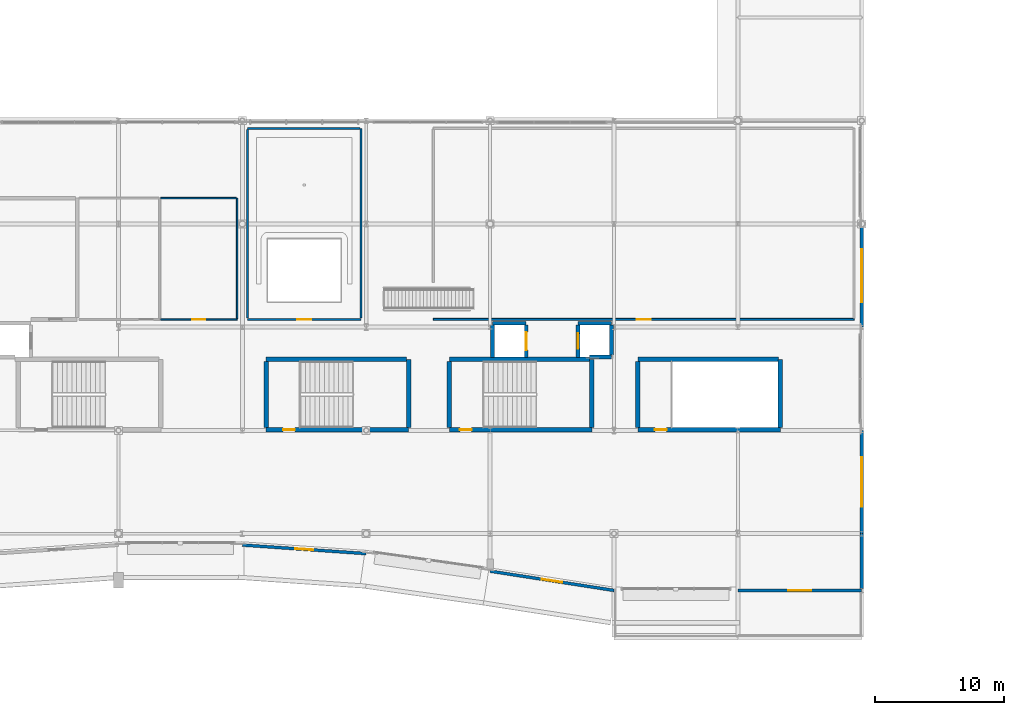
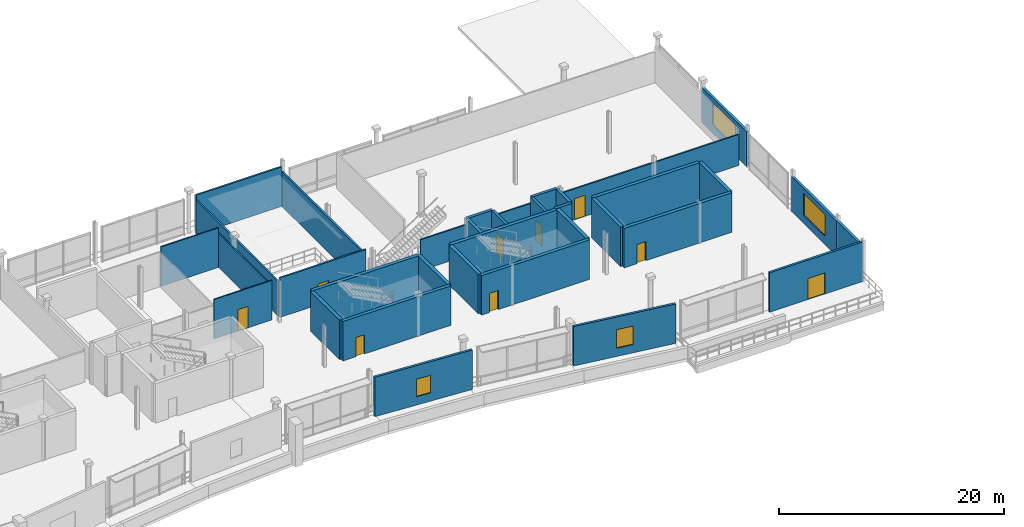
# One storey, part 38 of 59: 33 walls, 9 doors, 4 windows, 13 openings.
"""IFC4 building model written with IfcOpenShell, lengths in metres."""

import ifcopenshell
import ifcopenshell.guid

model = None  # the IFC model being written
_history = None  # IfcOwnerHistory: only IFC2X3 demands one
_inside = {}  # id of a spatial element -> (the spatial element, [elements in it])
_under = {}  # id of a project, library or spatial element -> (it, [spatial elements below it])
_declared = {}  # id of a project -> (the project, [libraries it declares])
_typed = {}  # id of a type object -> (the type object, [elements of that type])
_made_of = {}  # id of a material, layer set ... -> (it, [elements and type objects made of it])


def new_model(schema):
    """Start an empty IFC model of exactly this schema.

    Asked for "IFC4X3", IfcOpenShell would pick the latest addendum, in which some entities
    have other attributes; the version numbers below select the first issue.
    IFC2X3 requires an IfcOwnerHistory on every rooted entity: one is made here for all.
    """
    global model, _history
    if schema == "IFC4X3":
        model = ifcopenshell.file(schema_version=(4, 3, 0, 0))
    else:
        model = ifcopenshell.file(schema=schema)
    _inside.clear()
    _under.clear()
    _declared.clear()
    _typed.clear()
    _made_of.clear()
    _history = None
    if model.schema == "IFC2X3":
        org = make("IfcOrganization", Name="unknown")
        user = make(
            "IfcPersonAndOrganization",
            ThePerson=make("IfcPerson", FamilyName="unknown"),
            TheOrganization=org,
        )
        app = make(
            "IfcApplication",
            ApplicationDeveloper=org,
            Version="unknown",
            ApplicationFullName="unknown",
            ApplicationIdentifier="unknown",
        )
        _history = make(
            "IfcOwnerHistory",
            OwningUser=user,
            OwningApplication=app,
            ChangeAction="ADDED",
            CreationDate=0,
        )
    return model


def make(cls, **values):
    """One entity of the class cls with the attributes given. An attribute that is None is left unset."""
    return model.create_entity(
        cls, **{name: value for name, value in values.items() if value is not None}
    )


def rooted(cls, **values):
    """An entity with a GlobalId (a new one), such as an element, a storey or a relation."""
    return make(cls, GlobalId=ifcopenshell.guid.new(), OwnerHistory=_history, **values)


def si_unit(unit_type, name, prefix=None):
    """IfcSIUnit, for example si_unit("LENGTHUNIT", "METRE", prefix="MILLI")."""
    return make("IfcSIUnit", UnitType=unit_type, Prefix=prefix, Name=name)


def assignment(units):
    """IfcUnitAssignment: the units of a project."""
    return None if units is None else make("IfcUnitAssignment", Units=units)


def point(xyz):
    """IfcCartesianPoint."""
    return None if xyz is None else make("IfcCartesianPoint", Coordinates=xyz)


def direction(xyz):
    """IfcDirection."""
    return None if xyz is None else make("IfcDirection", DirectionRatios=xyz)


def frame(location, z_axis=None, x_axis=None):
    """IfcAxis2Placement3D, a coordinate frame: its origin and axes. An axis left out is left unset."""
    return make(
        "IfcAxis2Placement3D",
        Location=point(location),
        Axis=direction(z_axis),
        RefDirection=direction(x_axis),
    )


def frame_2d(location, x_axis=None):
    """IfcAxis2Placement2D, a coordinate frame in the plane: its origin and x axis."""
    return make(
        "IfcAxis2Placement2D", Location=point(location), RefDirection=direction(x_axis)
    )


def origin():
    """The frame at (0, 0, 0) with its axes left unset."""
    return frame((0.0, 0.0, 0.0))


def place(relative_to, where):
    """IfcLocalPlacement: puts the frame where relative to a parent placement (None: the world)."""
    return make(
        "IfcLocalPlacement", PlacementRelTo=relative_to, RelativePlacement=where
    )


def context(
    kind, dimensions, precision=None, world=None, true_north=None, identifier=None
):
    """IfcGeometricRepresentationContext, for example the 3D "Model" context."""
    return make(
        "IfcGeometricRepresentationContext",
        ContextIdentifier=identifier,
        ContextType=kind,
        CoordinateSpaceDimension=dimensions,
        Precision=precision,
        WorldCoordinateSystem=world,
        TrueNorth=true_north,
    )


def subcontext(parent, identifier, kind, view, scale=None):
    """IfcGeometricRepresentationSubContext, for example "Body" below "Model"."""
    return make(
        "IfcGeometricRepresentationSubContext",
        ContextIdentifier=identifier,
        ContextType=kind,
        ParentContext=parent,
        TargetScale=scale,
        TargetView=view,
    )


def project(units=None, contexts=None):
    """IfcProject with its units and contexts."""
    return rooted(
        "IfcProject",
        Name="project",
        RepresentationContexts=contexts,
        UnitsInContext=assignment(units),
    )


def spatial(cls, under=None, at=None, **own):
    """A site, building, storey or space (cls), placed at a placement, below another one or the project."""
    s = rooted(cls, ObjectPlacement=at, **own)
    if under is not None:
        _under.setdefault(under.id(), (under, []))[1].append(s)
    return s


def profile(cls, at=None, kind="AREA", **sizes):
    """A parametric profile (cls). Its sizes go by their IFC names, for example OverallWidth=200.0."""
    return make(cls, ProfileType=kind, Position=at, **sizes)


def rectangle(**sizes):
    """IfcRectangleProfileDef."""
    return profile("IfcRectangleProfileDef", **sizes)


def extrude(swept, where, along, depth):
    """IfcExtrudedAreaSolid: the profile swept, set in the frame where, extruded along a direction by depth."""
    return make(
        "IfcExtrudedAreaSolid",
        SweptArea=swept,
        Position=where,
        ExtrudedDirection=direction(along),
        Depth=depth,
    )


def shape(context_of_items, identifier, shape_type, items):
    """IfcShapeRepresentation: the items that make up one representation, for example the "Body"."""
    return make(
        "IfcShapeRepresentation",
        ContextOfItems=context_of_items,
        RepresentationIdentifier=identifier,
        RepresentationType=shape_type,
        Items=items,
    )


def material(Name=None, Category=None):
    """IfcMaterial."""
    return make("IfcMaterial", Name=Name, Category=Category)


def layer(
    of_material, thickness, ventilated=None, Name=None, Category=None, Priority=None
):
    """IfcMaterialLayer: one layer of a wall or slab, of a material (None: an air gap)."""
    return make(
        "IfcMaterialLayer",
        Material=of_material,
        LayerThickness=thickness,
        IsVentilated=ventilated,
        Name=Name,
        Category=Category,
        Priority=Priority,
    )


def layer_set(layers, Name=None):
    """IfcMaterialLayerSet."""
    return make("IfcMaterialLayerSet", MaterialLayers=layers, LayerSetName=Name)


def made_of(thing, what):
    """Note that an element or type object is made of a material, layer set ...; save() writes the relation."""
    if what is not None:
        _made_of.setdefault(what.id(), (what, []))[1].append(thing)
    return thing


def type_object(cls, material=None, **own):
    """A type object (cls), such as IfcWallType, which elements share."""
    return made_of(rooted(cls, **own), material)


def element(
    cls,
    number,
    at=None,
    inside=None,
    cuts=None,
    type_object=None,
    material=None,
    context=None,
    identifier="Body",
    shape_type=None,
    held_by="IfcProductDefinitionShape",
    body=None,
    shapes=None,
    **own,
):
    """One element of the class cls, such as IfcWall. Its Tag is "e" and its number.

    at: its placement. inside: the storey or other place that contains it. cuts: it is an
    opening in that element (IfcRelVoidsElement). A single representation is given by context,
    identifier, shape_type and body (its items); several are given by shapes. held_by: the class
    of the entity that holds the representations. save() writes the other relations.
    """
    e = rooted(cls, Tag="e%d" % number, ObjectPlacement=at, **own)
    if body is not None:
        shapes = [shape(context, identifier, shape_type, body)]
    if shapes is not None:
        e.Representation = make(held_by, Representations=shapes)
    if inside is not None:
        _inside.setdefault(inside.id(), (inside, []))[1].append(e)
    if cuts is not None:
        rooted(
            "IfcRelVoidsElement", RelatingBuildingElement=cuts, RelatedOpeningElement=e
        )
    if type_object is not None:
        _typed.setdefault(type_object.id(), (type_object, []))[1].append(e)
    return made_of(e, material)


def fill(opening, filler):
    """IfcRelFillsElement: the door or window that sits in an opening."""
    return rooted(
        "IfcRelFillsElement",
        RelatingOpeningElement=opening,
        RelatedBuildingElement=filler,
    )


def aggregate(whole, parts):
    """IfcRelAggregates: a whole, such as a stair, and the parts it consists of."""
    return rooted("IfcRelAggregates", RelatingObject=whole, RelatedObjects=parts)


def save(model, path):
    """Write the relations noted so far, then the file.

    IfcRelAggregates (storeys below a building ...), IfcRelContainedInSpatialStructure (elements
    in a storey), IfcRelDefinesByType, IfcRelAssociatesMaterial and IfcRelDeclares: one each for
    every whole, place, type object, material and project.
    """
    for whole, parts in _under.values():
        aggregate(whole, parts)
    for where, things in _inside.values():
        rooted(
            "IfcRelContainedInSpatialStructure",
            RelatedElements=things,
            RelatingStructure=where,
        )
    for kind, things in _typed.values():
        rooted("IfcRelDefinesByType", RelatedObjects=things, RelatingType=kind)
    for what, things in _made_of.values():
        rooted("IfcRelAssociatesMaterial", RelatedObjects=things, RelatingMaterial=what)
    for by, libraries in _declared.values():
        rooted("IfcRelDeclares", RelatingContext=by, RelatedDefinitions=libraries)
    model.write(path)


model = new_model("IFC4")

# Units and contexts
model_context = context("Model", 3, precision=1e-05, world=origin(), true_north=direction((0.0, 1.0)))
body_context = subcontext(model_context, "Body", "Model", "MODEL_VIEW")
ifc_project = project(units=[si_unit("LENGTHUNIT", "METRE"), si_unit("AREAUNIT", "SQUARE_METRE"), si_unit("VOLUMEUNIT", "CUBIC_METRE"), si_unit("PLANEANGLEUNIT", "RADIAN"), si_unit("MASSUNIT", "GRAM", prefix="KILO")], contexts=[model_context])

# Site, building, storey
site_placement = place(None, origin())
site = spatial("IfcSite", under=ifc_project, at=site_placement, CompositionType="ELEMENT")
building_placement = place(site_placement, origin())
building = spatial("IfcBuilding", under=site, at=building_placement, Name="Danafjord Basin Convention Centre", CompositionType="ELEMENT")
storey_placement = place(building_placement, frame((0.0, 0.0, 15.89990234375)))
storey = spatial("IfcBuildingStorey", under=building, at=storey_placement, Name="L03", CompositionType="ELEMENT", Elevation=15.89990234375)

# Wall
ifc_material_1 = material(Name="Concrete C40/50", Category="concrete")
ifc_layer_1 = layer(ifc_material_1, 0.300048828125)
ifc_layer_set_1 = layer_set([ifc_layer_1], Name="Concrete C40/50")
wall_type_1 = type_object("IfcWallType", Name="WALL-CW-CORE300", PredefinedType="SHEAR", material=ifc_layer_set_1)
wall_1_placement = place(storey_placement, frame((89.199951171875, 24.300048828125, 0.0), z_axis=(0.0, 0.0, 1.0), x_axis=(-1.0, 0.0, 0.0)))
element("IfcWall", 1, at=wall_1_placement, inside=storey, type_object=wall_type_1, Name="Lift LF-FF02 shaft shear wall", PredefinedType="SHEAR", context=body_context, shape_type="SweptSolid", body=[
    extrude(rectangle(XDim=2.599853515625, YDim=0.300048828125, at=frame_2d((1.2998046875, 0.0))), origin(), (0.0, 0.0, 1.0), 4.276123046875),
])

# Wall, opening, door
wall_2_placement = place(storey_placement, frame((89.199951171875, 21.6650390625, 0.0), z_axis=(0.0, 0.0, 1.0), x_axis=(0.0, 1.0, 0.0)))
wall_2 = element("IfcWall", 2, at=wall_2_placement, inside=storey, type_object=wall_type_1, Name="Lift LF-FF02 shaft shear wall", PredefinedType="SHEAR", context=body_context, shape_type="SweptSolid", body=[
    extrude(rectangle(XDim=2.5, YDim=0.300048828125, at=frame_2d((1.25, 0.0))), origin(), (0.0, 0.0, 1.0), 4.276123046875),
])
opening_1_placement = place(wall_2_placement, frame((0.550048828125, 0.0, 0.0)))
opening_1 = element("IfcOpeningElement", 3, at=opening_1_placement, cuts=wall_2, Name="Opening LD-F01", PredefinedType="OPENING", context=body_context, shape_type="SweptSolid", body=[
    extrude(rectangle(XDim=1.39990234375, YDim=2.260009765625, at=frame_2d((0.699951171875, 1.1298828125))), frame((0.0, 0.159912109375, 0.0), z_axis=(0.0, -1.0, 0.0), x_axis=(1.0, 0.0, 0.0)), (0.0, 0.0, 1.0), 0.320068359375),
])
ifc_material_2 = material(Name="Brushed stainless steel and acoustic laminated glass", Category="steel")
door_type_1 = type_object("IfcDoorType", Name="DOOR-LD-F01", OperationType="DOUBLE_DOOR_SLIDING", PredefinedType="DOOR", material=ifc_material_2)
door_1_placement = place(opening_1_placement, origin())
door_1 = element("IfcDoor", 4, at=door_1_placement, inside=storey, type_object=door_type_1, Name="Lift LF-FF02 L03 Landing Door", OperationType="DOUBLE_DOOR_SLIDING", OverallHeight=2.260009765625, OverallWidth=1.39990234375, PredefinedType="DOOR", context=body_context, shape_type="SweptSolid", body=[
    extrude(rectangle(XDim=1.39990234375, YDim=2.260009765625, at=frame_2d((0.699951171875, 1.1298828125))), frame((0.0, 0.02490234375, 0.0), z_axis=(0.0, -1.0, 0.0), x_axis=(1.0, 0.0, 0.0)), (0.0, 0.0, 1.0), 0.050048828125),
])
fill(opening_1, door_1)

# Walls
wall_3_placement = place(storey_placement, frame((86.60009765625, 24.1650390625, 0.0), z_axis=(0.0, 0.0, 1.0), x_axis=(0.0, -1.0, 0.0)))
element("IfcWall", 5, at=wall_3_placement, inside=storey, type_object=wall_type_1, Name="Lift LF-FF02 shaft shear wall", PredefinedType="SHEAR", context=body_context, shape_type="SweptSolid", body=[
    extrude(rectangle(XDim=2.5, YDim=0.300048828125, at=frame_2d((1.25, 0.0))), origin(), (0.0, 0.0, 1.0), 4.276123046875),
])
wall_4_placement = place(storey_placement, frame((95.800048828125, 24.300048828125, 0.0), z_axis=(0.0, 0.0, 1.0), x_axis=(-1.0, 0.0, 0.0)))
element("IfcWall", 6, at=wall_4_placement, inside=storey, type_object=wall_type_1, Name="Lift LF-P02 shaft shear wall", PredefinedType="SHEAR", context=body_context, shape_type="SweptSolid", body=[
    extrude(rectangle(XDim=2.60009765625, YDim=0.300048828125, at=frame_2d((1.300048828125, 0.0))), origin(), (0.0, 0.0, 1.0), 4.276123046875),
])
wall_5_placement = place(storey_placement, frame((94.110107421875, 21.699951171875, 0.0), z_axis=(0.0, 0.0, 1.0), x_axis=(1.0, 0.0, 0.0)))
element("IfcWall", 7, at=wall_5_placement, inside=storey, type_object=wall_type_1, Name="Lift LF-P02 shaft shear wall", PredefinedType="SHEAR", context=body_context, shape_type="SweptSolid", body=[
    extrude(rectangle(XDim=1.68994140625, YDim=0.300048828125, at=frame_2d((0.844970703125, 0.0))), origin(), (0.0, 0.0, 1.0), 4.276123046875),
])
wall_6_placement = place(storey_placement, frame((95.800048828125, 21.8349609375, 0.0), z_axis=(0.0, 0.0, 1.0), x_axis=(0.0, 1.0, 0.0)))
element("IfcWall", 8, at=wall_6_placement, inside=storey, type_object=wall_type_1, Name="Lift LF-P02 shaft shear wall", PredefinedType="SHEAR", context=body_context, shape_type="SweptSolid", body=[
    extrude(rectangle(XDim=2.330078125, YDim=0.300048828125, at=frame_2d((1.1650390625, 0.0))), origin(), (0.0, 0.0, 1.0), 4.276123046875),
])

# Wall, opening, door
wall_7_placement = place(storey_placement, frame((93.199951171875, 24.1650390625, 0.0), z_axis=(0.0, 0.0, 1.0), x_axis=(0.0, -1.0, 0.0)))
wall_7 = element("IfcWall", 9, at=wall_7_placement, inside=storey, type_object=wall_type_1, Name="Lift LF-P02 shaft shear wall", PredefinedType="SHEAR", context=body_context, shape_type="SweptSolid", body=[
    extrude(rectangle(XDim=2.5, YDim=0.300048828125, at=frame_2d((1.25, 0.0))), origin(), (0.0, 0.0, 1.0), 4.276123046875),
])
opening_2_placement = place(wall_7_placement, frame((0.64990234375, 0.0, 0.0)))
opening_2 = element("IfcOpeningElement", 10, at=opening_2_placement, cuts=wall_7, Name="Opening LD-P01", PredefinedType="OPENING", context=body_context, shape_type="SweptSolid", body=[
    extrude(rectangle(XDim=1.199951171875, YDim=2.199951171875, at=frame_2d((0.60009765625, 1.10009765625))), frame((0.0, 0.159912109375, 0.0), z_axis=(0.0, -1.0, 0.0), x_axis=(1.0, 0.0, 0.0)), (0.0, 0.0, 1.0), 0.320068359375),
])
door_type_2 = type_object("IfcDoorType", Name="DOOR-LD-P01", OperationType="DOUBLE_DOOR_SLIDING", PredefinedType="DOOR", material=ifc_material_2)
door_2_placement = place(opening_2_placement, origin())
door_2 = element("IfcDoor", 11, at=door_2_placement, inside=storey, type_object=door_type_2, Name="Lift LF-P02 L03 Landing Door", OperationType="DOUBLE_DOOR_SLIDING", OverallHeight=2.199951171875, OverallWidth=1.199951171875, PredefinedType="DOOR", context=body_context, shape_type="SweptSolid", body=[
    extrude(rectangle(XDim=1.199951171875, YDim=2.199951171875, at=frame_2d((0.60009765625, 1.10009765625))), frame((0.0, 0.02490234375, 0.0), z_axis=(0.0, -1.0, 0.0), x_axis=(1.0, 0.0, 0.0)), (0.0, 0.0, 1.0), 0.050048828125),
])
fill(opening_2, door_2)

ifc_material_3 = material(Name="Concrete C45/55", Category="concrete")
ifc_layer_2 = layer(ifc_material_3, 0.35009765625)
ifc_layer_set_2 = layer_set([ifc_layer_2], Name="Concrete C45/55")
wall_type_2 = type_object("IfcWallType", Name="WALL-CW-CORE350", PredefinedType="SHEAR", material=ifc_layer_set_2)
wall_8_placement = place(storey_placement, frame((83.25, 16.050048828125, 0.0), z_axis=(0.0, 0.0, 1.0), x_axis=(1.0, 0.0, 0.0)))
wall_8 = element("IfcWall", 12, at=wall_8_placement, inside=storey, type_object=wall_type_2, Name="Central Harbour Core Stair 1 core shear wall (south)", PredefinedType="SHEAR", context=body_context, shape_type="SweptSolid", body=[
    extrude(rectangle(XDim=11.0400390625, YDim=0.35009765625, at=frame_2d((5.52001953125, 0.0))), origin(), (0.0, 0.0, 1.0), 4.276123046875),
])
opening_3_placement = place(wall_8_placement, frame((0.805908203125, 0.0, 0.0)))
opening_3 = element("IfcOpeningElement", 13, at=opening_3_placement, cuts=wall_8, Name="Opening FD-S01", PredefinedType="OPENING", context=body_context, shape_type="SweptSolid", body=[
    extrude(rectangle(XDim=0.909912109375, YDim=2.080078125, at=frame_2d((0.455078125, 1.0400390625))), frame((0.0, 0.18505859375, 0.0), z_axis=(0.0, -1.0, 0.0), x_axis=(1.0, 0.0, 0.0)), (0.0, 0.0, 1.0), 0.3701171875),
])
ifc_material_4 = material(Name="Powder-coated steel and Nordic oak", Category="steel")
door_type_3 = type_object("IfcDoorType", Name="DOOR-FD-S01", OperationType="NOTDEFINED", PredefinedType="DOOR", material=ifc_material_4)
door_3_placement = place(opening_3_placement, origin())
door_3 = element("IfcDoor", 14, at=door_3_placement, inside=storey, type_object=door_type_3, Name="Central Harbour Core Stair 1 L03 Fire Exit Door", OperationType="SINGLE_SWING_LEFT", OverallHeight=2.080078125, OverallWidth=0.909912109375, PredefinedType="DOOR", context=body_context, shape_type="SweptSolid", body=[
    extrude(rectangle(XDim=0.909912109375, YDim=2.080078125, at=frame_2d((0.455078125, 1.0400390625))), frame((0.0, 0.02490234375, 0.0), z_axis=(0.0, -1.0, 0.0), x_axis=(1.0, 0.0, 0.0)), (0.0, 0.0, 1.0), 0.050048828125),
])
fill(opening_3, door_3)

# Walls
wall_9_placement = place(storey_placement, frame((94.2900390625, 16.2099609375, 0.0), z_axis=(0.0, 0.0, 1.0), x_axis=(0.0, 1.0, 0.0)))
element("IfcWall", 15, at=wall_9_placement, inside=storey, type_object=wall_type_2, Name="Central Harbour Core Stair 1 core shear wall (east)", PredefinedType="SHEAR", context=body_context, shape_type="SweptSolid", body=[
    extrude(rectangle(XDim=5.300048828125, YDim=0.35009765625, at=frame_2d((2.64990234375, 0.0))), origin(), (0.0, 0.0, 1.0), 4.276123046875),
])
wall_10_placement = place(storey_placement, frame((94.1298828125, 21.510009765625, 0.0), z_axis=(0.0, 0.0, 1.0), x_axis=(-1.0, 0.0, 0.0)))
element("IfcWall", 16, at=wall_10_placement, inside=storey, type_object=wall_type_2, Name="Central Harbour Core Stair 1 core shear wall (north)", PredefinedType="SHEAR", context=body_context, shape_type="SweptSolid", body=[
    extrude(rectangle(XDim=10.8798828125, YDim=0.35009765625, at=frame_2d((5.43994140625, 0.0))), origin(), (0.0, 0.0, 1.0), 4.276123046875),
])
wall_11_placement = place(storey_placement, frame((83.25, 21.35009765625, 0.0), z_axis=(0.0, 0.0, 1.0), x_axis=(0.0, -1.0, 0.0)))
element("IfcWall", 17, at=wall_11_placement, inside=storey, type_object=wall_type_2, Name="Central Harbour Core Stair 1 core shear wall (west)", PredefinedType="SHEAR", context=body_context, shape_type="SweptSolid", body=[
    extrude(rectangle(XDim=5.14013671875, YDim=0.35009765625, at=frame_2d((2.570068359375, 0.0))), origin(), (0.0, 0.0, 1.0), 4.276123046875),
])

# Wall, opening, door
wall_12_placement = place(storey_placement, frame((97.85009765625, 16.050048828125, 0.0), z_axis=(0.0, 0.0, 1.0), x_axis=(1.0, 0.0, 0.0)))
wall_12 = element("IfcWall", 18, at=wall_12_placement, inside=storey, type_object=wall_type_2, Name="East Harbour Escape Stair 2 core shear wall (south)", PredefinedType="SHEAR", context=body_context, shape_type="SweptSolid", body=[
    extrude(rectangle(XDim=11.039794921875, YDim=0.35009765625, at=frame_2d((5.52001953125, 0.0))), origin(), (0.0, 0.0, 1.0), 4.274169921875),
])
opening_4_placement = place(wall_12_placement, frame((1.31201171875, 0.0, 0.0)))
opening_4 = element("IfcOpeningElement", 19, at=opening_4_placement, cuts=wall_12, Name="Opening FD-S01", PredefinedType="OPENING", context=body_context, shape_type="SweptSolid", body=[
    extrude(rectangle(XDim=0.909912109375, YDim=2.080078125, at=frame_2d((0.455078125, 1.0400390625))), frame((0.0, 0.18505859375, 0.0), z_axis=(0.0, -1.0, 0.0), x_axis=(1.0, 0.0, 0.0)), (0.0, 0.0, 1.0), 0.3701171875),
])
door_4_placement = place(opening_4_placement, origin())
door_4 = element("IfcDoor", 20, at=door_4_placement, inside=storey, type_object=door_type_3, Name="East Harbour Escape Stair 2 L03 Fire Exit Door", OperationType="SINGLE_SWING_LEFT", OverallHeight=2.080078125, OverallWidth=0.909912109375, PredefinedType="DOOR", context=body_context, shape_type="SweptSolid", body=[
    extrude(rectangle(XDim=0.909912109375, YDim=2.080078125, at=frame_2d((0.455078125, 1.0400390625))), frame((0.0, 0.02490234375, 0.0), z_axis=(0.0, -1.0, 0.0), x_axis=(1.0, 0.0, 0.0)), (0.0, 0.0, 1.0), 0.050048828125),
])
fill(opening_4, door_4)

# Walls
wall_13_placement = place(storey_placement, frame((108.889892578125, 16.2099609375, 0.0), z_axis=(0.0, 0.0, 1.0), x_axis=(0.0, 1.0, 0.0)))
element("IfcWall", 21, at=wall_13_placement, inside=storey, type_object=wall_type_2, Name="East Harbour Escape Stair 2 core shear wall (east)", PredefinedType="SHEAR", context=body_context, shape_type="SweptSolid", body=[
    extrude(rectangle(XDim=5.300048828125, YDim=0.35009765625, at=frame_2d((2.64990234375, 0.0))), origin(), (0.0, 0.0, 1.0), 4.274169921875),
])
wall_14_placement = place(storey_placement, frame((108.72998046875, 21.510009765625, 0.0), z_axis=(0.0, 0.0, 1.0), x_axis=(-1.0, 0.0, 0.0)))
element("IfcWall", 22, at=wall_14_placement, inside=storey, type_object=wall_type_2, Name="East Harbour Escape Stair 2 core shear wall (north)", PredefinedType="SHEAR", context=body_context, shape_type="SweptSolid", body=[
    extrude(rectangle(XDim=10.8798828125, YDim=0.35009765625, at=frame_2d((5.43994140625, 0.0))), origin(), (0.0, 0.0, 1.0), 4.274169921875),
])
wall_15_placement = place(storey_placement, frame((97.85009765625, 21.35009765625, 0.0), z_axis=(0.0, 0.0, 1.0), x_axis=(0.0, -1.0, 0.0)))
element("IfcWall", 23, at=wall_15_placement, inside=storey, type_object=wall_type_2, Name="East Harbour Escape Stair 2 core shear wall (west)", PredefinedType="SHEAR", context=body_context, shape_type="SweptSolid", body=[
    extrude(rectangle(XDim=5.14013671875, YDim=0.35009765625, at=frame_2d((2.570068359375, 0.0))), origin(), (0.0, 0.0, 1.0), 4.276123046875),
])

# Wall, opening, door
wall_16_placement = place(storey_placement, frame((69.050048828125, 16.050048828125, 0.0), z_axis=(0.0, 0.0, 1.0), x_axis=(1.0, 0.0, 0.0)))
wall_16 = element("IfcWall", 24, at=wall_16_placement, inside=storey, type_object=wall_type_2, Name="Mid-Arc Escape Stair 2 core shear wall (south)", PredefinedType="SHEAR", context=body_context, shape_type="SweptSolid", body=[
    extrude(rectangle(XDim=11.0400390625, YDim=0.35009765625, at=frame_2d((5.52001953125, 0.0))), origin(), (0.0, 0.0, 1.0), 4.276123046875),
])
opening_5_placement = place(wall_16_placement, frame((1.31201171875, 0.0, 0.0)))
opening_5 = element("IfcOpeningElement", 25, at=opening_5_placement, cuts=wall_16, Name="Opening FD-S01", PredefinedType="OPENING", context=body_context, shape_type="SweptSolid", body=[
    extrude(rectangle(XDim=0.909912109375, YDim=2.080078125, at=frame_2d((0.455078125, 1.0400390625))), frame((0.0, 0.18505859375, 0.0), z_axis=(0.0, -1.0, 0.0), x_axis=(1.0, 0.0, 0.0)), (0.0, 0.0, 1.0), 0.3701171875),
])
door_5_placement = place(opening_5_placement, origin())
door_5 = element("IfcDoor", 26, at=door_5_placement, inside=storey, type_object=door_type_3, Name="Mid-Arc Escape Stair 2 L03 Fire Exit Door", OperationType="SINGLE_SWING_RIGHT", OverallHeight=2.080078125, OverallWidth=0.909912109375, PredefinedType="DOOR", context=body_context, shape_type="SweptSolid", body=[
    extrude(rectangle(XDim=0.909912109375, YDim=2.080078125, at=frame_2d((0.455078125, 1.0400390625))), frame((0.0, 0.02490234375, 0.0), z_axis=(0.0, -1.0, 0.0), x_axis=(1.0, 0.0, 0.0)), (0.0, 0.0, 1.0), 0.050048828125),
])
fill(opening_5, door_5)

# Walls
wall_17_placement = place(storey_placement, frame((80.090087890625, 16.2099609375, 0.0), z_axis=(0.0, 0.0, 1.0), x_axis=(0.0, 1.0, 0.0)))
element("IfcWall", 27, at=wall_17_placement, inside=storey, type_object=wall_type_2, Name="Mid-Arc Escape Stair 2 core shear wall (east)", PredefinedType="SHEAR", context=body_context, shape_type="SweptSolid", body=[
    extrude(rectangle(XDim=5.300048828125, YDim=0.35009765625, at=frame_2d((2.64990234375, 0.0))), origin(), (0.0, 0.0, 1.0), 4.276123046875),
])
wall_18_placement = place(storey_placement, frame((79.929931640625, 21.510009765625, 0.0), z_axis=(0.0, 0.0, 1.0), x_axis=(-1.0, 0.0, 0.0)))
element("IfcWall", 28, at=wall_18_placement, inside=storey, type_object=wall_type_2, Name="Mid-Arc Escape Stair 2 core shear wall (north)", PredefinedType="SHEAR", context=body_context, shape_type="SweptSolid", body=[
    extrude(rectangle(XDim=10.8798828125, YDim=0.35009765625, at=frame_2d((5.43994140625, 0.0))), origin(), (0.0, 0.0, 1.0), 4.276123046875),
])
wall_19_placement = place(storey_placement, frame((69.050048828125, 21.35009765625, 0.0), z_axis=(0.0, 0.0, 1.0), x_axis=(0.0, -1.0, 0.0)))
element("IfcWall", 29, at=wall_19_placement, inside=storey, type_object=wall_type_2, Name="Mid-Arc Escape Stair 2 core shear wall (west)", PredefinedType="SHEAR", context=body_context, shape_type="SweptSolid", body=[
    extrude(rectangle(XDim=5.14013671875, YDim=0.35009765625, at=frame_2d((2.570068359375, 0.0))), origin(), (0.0, 0.0, 1.0), 4.276123046875),
])

# Wall, opening, window
ifc_material_5 = material(Name="Concrete C35/45", Category="concrete")
ifc_layer_3 = layer(ifc_material_5, 0.22998046875)
ifc_layer_set_3 = layer_set([ifc_layer_3], Name="Concrete C35/45")
wall_type_3 = type_object("IfcWallType", Name="WALL-EW-STD230", PredefinedType="STANDARD", material=ifc_layer_set_3)
wall_20_placement = place(storey_placement, frame((67.199951171875, 7.116943359375, 0.0), z_axis=(0.0, 0.0, 1.0), x_axis=(0.99760914447, -0.069108573052, 0.0)))
wall_20 = element("IfcWall", 30, at=wall_20_placement, inside=storey, type_object=wall_type_3, Name="L03 harbourfront precast facade bay 8", PredefinedType="STANDARD", context=body_context, shape_type="SweptSolid", body=[
    extrude(rectangle(XDim=9.623046875, YDim=0.22998046875, at=frame_2d((4.8115234375, 0.0))), origin(), (0.0, 0.0, 1.0), 4.274169921875),
])
opening_6_placement = place(wall_20_placement, frame((4.112060546875, 0.0, 0.89990234375)))
opening_6 = element("IfcOpeningElement", 31, at=opening_6_placement, cuts=wall_20, Name="Opening WN-02", PredefinedType="OPENING", context=body_context, shape_type="SweptSolid", body=[
    extrude(rectangle(XDim=1.39990234375, YDim=1.89990234375, at=frame_2d((0.699951171875, 0.949951171875))), frame((0.0, 0.125, 0.0), z_axis=(0.0, -1.0, 0.0), x_axis=(1.0, 0.0, 0.0)), (0.0, 0.0, 1.0), 0.25),
])
ifc_material_6 = material(Name="Thermally broken aluminium and triple low-E glass", Category="aluminium")
window_type_1 = type_object("IfcWindowType", Name="WIN-WN-02", PartitioningType="SINGLE_PANEL", PredefinedType="WINDOW", material=ifc_material_6)
window_1_placement = place(opening_6_placement, origin())
window_1 = element("IfcWindow", 32, at=window_1_placement, inside=storey, type_object=window_type_1, Name="L03 harbour window WN-02", OverallHeight=1.89990234375, OverallWidth=1.39990234375, PartitioningType="SINGLE_PANEL", PredefinedType="WINDOW", context=body_context, shape_type="SweptSolid", body=[
    extrude(rectangle(XDim=1.39990234375, YDim=1.89990234375, at=frame_2d((0.699951171875, 0.949951171875))), frame((0.0, 0.030029296875, 0.0), z_axis=(0.0, -1.0, 0.0), x_axis=(1.0, 0.0, 0.0)), (0.0, 0.0, 1.0), 0.06005859375),
])
fill(opening_6, window_1)

wall_21_placement = place(storey_placement, frame((86.39990234375, 5.093017578125, 0.0), z_axis=(0.0, 0.0, 1.0), x_axis=(0.988123168279, -0.153663933015, 0.0)))
wall_21 = element("IfcWall", 33, at=wall_21_placement, inside=storey, type_object=wall_type_3, Name="L03 harbourfront precast facade bay 10", PredefinedType="STANDARD", context=body_context, shape_type="SweptSolid", body=[
    extrude(rectangle(XDim=9.715576171875, YDim=0.22998046875, at=frame_2d((4.85791015625, 0.0))), origin(), (0.0, 0.0, 1.0), 4.274169921875),
])
opening_7_placement = place(wall_21_placement, frame((4.05810546875, 0.0, 0.89990234375)))
opening_7 = element("IfcOpeningElement", 34, at=opening_7_placement, cuts=wall_21, Name="Opening WN-03", PredefinedType="OPENING", context=body_context, shape_type="SweptSolid", body=[
    extrude(rectangle(XDim=1.60009765625, YDim=2.0, at=frame_2d((0.800048828125, 1.0))), frame((0.0, 0.125, 0.0), z_axis=(0.0, -1.0, 0.0), x_axis=(1.0, 0.0, 0.0)), (0.0, 0.0, 1.0), 0.25),
])
window_type_2 = type_object("IfcWindowType", Name="WIN-WN-03", PartitioningType="SINGLE_PANEL", PredefinedType="WINDOW", material=ifc_material_6)
window_2_placement = place(opening_7_placement, origin())
window_2 = element("IfcWindow", 35, at=window_2_placement, inside=storey, type_object=window_type_2, Name="L03 harbour window WN-03", OverallHeight=2.0, OverallWidth=1.60009765625, PartitioningType="SINGLE_PANEL", PredefinedType="WINDOW", context=body_context, shape_type="SweptSolid", body=[
    extrude(rectangle(XDim=1.60009765625, YDim=2.0, at=frame_2d((0.800048828125, 1.0))), frame((0.0, 0.030029296875, 0.0), z_axis=(0.0, -1.0, 0.0), x_axis=(1.0, 0.0, 0.0)), (0.0, 0.0, 1.0), 0.06005859375),
])
fill(opening_7, window_2)

# Wall, opening, door
wall_22_placement = place(storey_placement, frame((105.60009765625, 3.60009765625, 0.0), z_axis=(0.0, 0.0, 1.0), x_axis=(1.0, 0.0, 0.0)))
wall_22 = element("IfcWall", 36, at=wall_22_placement, inside=storey, type_object=wall_type_3, Name="L03 harbourfront precast facade bay 12", PredefinedType="STANDARD", context=body_context, shape_type="SweptSolid", body=[
    extrude(rectangle(XDim=9.599853515625, YDim=0.22998046875, at=frame_2d((4.7998046875, 0.0))), origin(), (0.0, 0.0, 1.0), 4.274169921875),
])
opening_8_placement = place(wall_22_placement, frame((3.919921875, 0.0, 0.0)))
opening_8 = element("IfcOpeningElement", 37, at=opening_8_placement, cuts=wall_22, Name="Opening ED-04", PredefinedType="OPENING", context=body_context, shape_type="SweptSolid", body=[
    extrude(rectangle(XDim=1.760009765625, YDim=2.280029296875, at=frame_2d((0.8798828125, 1.14013671875))), frame((0.0, 0.125, 0.0), z_axis=(0.0, -1.0, 0.0), x_axis=(1.0, 0.0, 0.0)), (0.0, 0.0, 1.0), 0.25),
])
ifc_material_7 = material(Name="Thermally broken anodised aluminium and steel", Category="steel")
door_type_4 = type_object("IfcDoorType", Name="DOOR-ED-04", OperationType="DOUBLE_DOOR_SINGLE_SWING", PredefinedType="DOOR", material=ifc_material_7)
door_6_placement = place(opening_8_placement, origin())
door_6 = element("IfcDoor", 38, at=door_6_placement, inside=storey, type_object=door_type_4, Name="L03 Harbour Terrace Access Door", OperationType="DOUBLE_DOOR_SINGLE_SWING", OverallHeight=2.280029296875, OverallWidth=1.760009765625, PredefinedType="DOOR", context=body_context, shape_type="SweptSolid", body=[
    extrude(rectangle(XDim=1.760009765625, YDim=2.280029296875, at=frame_2d((0.8798828125, 1.14013671875))), frame((0.0, 0.02490234375, 0.0), z_axis=(0.0, -1.0, 0.0), x_axis=(1.0, 0.0, 0.0)), (0.0, 0.0, 1.0), 0.050048828125),
])
fill(opening_8, door_6)

# Wall
ifc_layer_4 = layer(ifc_material_5, 0.260009765625)
ifc_layer_set_4 = layer_set([ifc_layer_4], Name="Concrete C35/45")
wall_type_4 = type_object("IfcWallType", Name="WALL-EW-STD260", PredefinedType="STANDARD", material=ifc_layer_set_4)
wall_23_placement = place(storey_placement, frame((115.199951171875, 3.718994140625, 0.0), z_axis=(0.0, 0.0, 1.0), x_axis=(0.0, 1.0, 0.0)))
element("IfcWall", 39, at=wall_23_placement, inside=storey, type_object=wall_type_4, Name="L03 E wing facade wall", PredefinedType="STANDARD", context=body_context, shape_type="SweptSolid", body=[
    extrude(rectangle(XDim=4.281005859375, YDim=0.260009765625, at=frame_2d((2.140625, 0.0))), origin(), (0.0, 0.0, 1.0), 3.85009765625),
])

# Wall, opening, window
wall_24_placement = place(storey_placement, frame((115.199951171875, 8.0, 0.0), z_axis=(0.0, 0.0, 1.0), x_axis=(0.0, 1.0, 0.0)))
wall_24 = element("IfcWall", 40, at=wall_24_placement, inside=storey, type_object=wall_type_4, Name="L03 E wing facade wall", PredefinedType="STANDARD", context=body_context, shape_type="SweptSolid", body=[
    extrude(rectangle(XDim=8.0, YDim=0.260009765625, at=frame_2d((4.0, 0.0))), origin(), (0.0, 0.0, 1.0), 3.794189453125),
])
opening_9_placement = place(wall_24_placement, frame((2.074951171875, 0.0, 0.89990234375)))
opening_9 = element("IfcOpeningElement", 41, at=opening_9_placement, cuts=wall_24, Name="Opening WN-14", PredefinedType="OPENING", context=body_context, shape_type="SweptSolid", body=[
    extrude(rectangle(XDim=3.85009765625, YDim=2.35009765625, at=frame_2d((1.925048828125, 1.175048828125))), frame((0.0, 0.139892578125, 0.0), z_axis=(0.0, -1.0, 0.0), x_axis=(1.0, 0.0, 0.0)), (0.0, 0.0, 1.0), 0.280029296875),
])
window_type_3 = type_object("IfcWindowType", Name="WIN-WN-14", PartitioningType="SINGLE_PANEL", PredefinedType="WINDOW", material=ifc_material_6)
window_3_placement = place(opening_9_placement, origin())
window_3 = element("IfcWindow", 42, at=window_3_placement, inside=storey, type_object=window_type_3, Name="L03 E window WN-14", OverallHeight=2.35009765625, OverallWidth=3.85009765625, PartitioningType="SINGLE_PANEL", PredefinedType="WINDOW", context=body_context, shape_type="SweptSolid", body=[
    extrude(rectangle(XDim=3.85009765625, YDim=2.35009765625, at=frame_2d((1.925048828125, 1.175048828125))), frame((0.0, 0.030029296875, 0.0), z_axis=(0.0, -1.0, 0.0), x_axis=(1.0, 0.0, 0.0)), (0.0, 0.0, 1.0), 0.06005859375),
])
fill(opening_9, window_3)

wall_25_placement = place(storey_placement, frame((115.199951171875, 24.0, 0.0), z_axis=(0.0, 0.0, 1.0), x_axis=(0.0, 1.0, 0.0)))
wall_25 = element("IfcWall", 43, at=wall_25_placement, inside=storey, type_object=wall_type_4, Name="L03 E wing facade wall", PredefinedType="STANDARD", context=body_context, shape_type="SweptSolid", body=[
    extrude(rectangle(XDim=8.0, YDim=0.260009765625, at=frame_2d((4.0, 0.0))), origin(), (0.0, 0.0, 1.0), 3.794189453125),
])
opening_10_placement = place(wall_25_placement, frame((1.949951171875, 0.0, 0.89990234375)))
opening_10 = element("IfcOpeningElement", 44, at=opening_10_placement, cuts=wall_25, Name="Opening WN-15", PredefinedType="OPENING", context=body_context, shape_type="SweptSolid", body=[
    extrude(rectangle(XDim=4.10009765625, YDim=2.39990234375, at=frame_2d((2.050048828125, 1.199951171875))), frame((0.0, 0.139892578125, 0.0), z_axis=(0.0, -1.0, 0.0), x_axis=(1.0, 0.0, 0.0)), (0.0, 0.0, 1.0), 0.280029296875),
])
window_type_4 = type_object("IfcWindowType", Name="WIN-WN-15", PartitioningType="SINGLE_PANEL", PredefinedType="WINDOW", material=ifc_material_6)
window_4_placement = place(opening_10_placement, origin())
window_4 = element("IfcWindow", 45, at=window_4_placement, inside=storey, type_object=window_type_4, Name="L03 E window WN-15", OverallHeight=2.39990234375, OverallWidth=4.10009765625, PartitioningType="SINGLE_PANEL", PredefinedType="WINDOW", context=body_context, shape_type="SweptSolid", body=[
    extrude(rectangle(XDim=4.10009765625, YDim=2.39990234375, at=frame_2d((2.050048828125, 1.199951171875))), frame((0.0, 0.030029296875, 0.0), z_axis=(0.0, -1.0, 0.0), x_axis=(1.0, 0.0, 0.0)), (0.0, 0.0, 1.0), 0.06005859375),
])
fill(opening_10, window_4)

# Wall, opening, door
ifc_material_8 = material(Name="Acoustic double-board gypsum stud partition")
ifc_layer_5 = layer(ifc_material_8, 0.175048828125)
ifc_layer_set_5 = layer_set([ifc_layer_5], Name="Acoustic double-board gypsum stud partition")
wall_type_5 = type_object("IfcWallType", Name="WALL-PT-AC175", PredefinedType="PARTITIONING", material=ifc_layer_set_5)
wall_26_placement = place(storey_placement, frame((67.60009765625, 24.60009765625, 0.0), z_axis=(0.0, 0.0, 1.0), x_axis=(1.0, 0.0, 0.0)))
wall_26 = element("IfcWall", 46, at=wall_26_placement, inside=storey, type_object=wall_type_5, Name="Gota Boardroom Suite M304 south partition", PredefinedType="PARTITIONING", context=body_context, shape_type="SweptSolid", body=[
    extrude(rectangle(XDim=8.7998046875, YDim=0.175048828125, at=frame_2d((4.39990234375, 0.0))), origin(), (0.0, 0.0, 1.0), 4.276123046875),
])
opening_11_placement = place(wall_26_placement, frame((3.864990234375, 0.0, 0.0)))
opening_11 = element("IfcOpeningElement", 47, at=opening_11_placement, cuts=wall_26, Name="Opening FD-S14", PredefinedType="OPENING", context=body_context, shape_type="SweptSolid", body=[
    extrude(rectangle(XDim=1.070068359375, YDim=2.260009765625, at=frame_2d((0.53515625, 1.1298828125))), frame((0.0, 0.097412109375, 0.0), z_axis=(0.0, -1.0, 0.0), x_axis=(1.0, 0.0, 0.0)), (0.0, 0.0, 1.0), 0.195068359375),
])
door_type_5 = type_object("IfcDoorType", Name="DOOR-FD-S14", OperationType="NOTDEFINED", PredefinedType="DOOR", material=ifc_material_4)
door_7_placement = place(opening_11_placement, origin())
door_7 = element("IfcDoor", 48, at=door_7_placement, inside=storey, type_object=door_type_5, Name="Gota Boardroom Suite M304 Entrance Door", OperationType="SINGLE_SWING_LEFT", OverallHeight=2.260009765625, OverallWidth=1.070068359375, PredefinedType="DOOR", context=body_context, shape_type="SweptSolid", body=[
    extrude(rectangle(XDim=1.070068359375, YDim=2.260009765625, at=frame_2d((0.53515625, 1.1298828125))), frame((0.0, 0.02490234375, 0.0), z_axis=(0.0, -1.0, 0.0), x_axis=(1.0, 0.0, 0.0)), (0.0, 0.0, 1.0), 0.050048828125),
])
fill(opening_11, door_7)

# Walls
wall_27_placement = place(storey_placement, frame((76.39990234375, 24.69140625, 0.0), z_axis=(0.0, 0.0, 1.0), x_axis=(0.0, 1.0, 0.0)))
element("IfcWall", 49, at=wall_27_placement, inside=storey, type_object=wall_type_5, Name="Gota Boardroom Suite M304 east partition", PredefinedType="PARTITIONING", context=body_context, shape_type="SweptSolid", body=[
    extrude(rectangle(XDim=14.70849609375, YDim=0.175048828125, at=frame_2d((7.354248046875, 0.0))), origin(), (0.0, 0.0, 1.0), 3.74609375),
])
wall_28_placement = place(storey_placement, frame((76.30859375, 39.39990234375, 0.0), z_axis=(0.0, 0.0, 1.0), x_axis=(-1.0, 0.0, 0.0)))
element("IfcWall", 50, at=wall_28_placement, inside=storey, type_object=wall_type_5, Name="Gota Boardroom Suite M304 north partition", PredefinedType="PARTITIONING", context=body_context, shape_type="SweptSolid", body=[
    extrude(rectangle(XDim=8.70849609375, YDim=0.175048828125, at=frame_2d((4.354248046875, 0.0))), origin(), (0.0, 0.0, 1.0), 4.276123046875),
])
wall_29_placement = place(storey_placement, frame((67.60009765625, 39.30859375, 0.0), z_axis=(0.0, 0.0, 1.0), x_axis=(0.0, -1.0, 0.0)))
element("IfcWall", 51, at=wall_29_placement, inside=storey, type_object=wall_type_5, Name="Gota Boardroom Suite M304 west partition", PredefinedType="PARTITIONING", context=body_context, shape_type="SweptSolid", body=[
    extrude(rectangle(XDim=14.6171875, YDim=0.175048828125, at=frame_2d((7.30859375, 0.0))), origin(), (0.0, 0.0, 1.0), 3.74609375),
])

# Wall, opening, door
ifc_material_9 = material(Name="Moisture-resistant gypsum stud partition")
ifc_layer_6 = layer(ifc_material_9, 0.1201171875)
ifc_layer_set_6 = layer_set([ifc_layer_6], Name="Moisture-resistant gypsum stud partition")
wall_type_6 = type_object("IfcWallType", Name="WALL-PT-ST120", PredefinedType="PARTITIONING", material=ifc_layer_set_6)
wall_30_placement = place(storey_placement, frame((60.864013671875, 24.60009765625, 0.0), z_axis=(0.0, 0.0, 1.0), x_axis=(1.0, 0.0, 0.0)))
wall_30 = element("IfcWall", 52, at=wall_30_placement, inside=storey, type_object=wall_type_6, Name="Level 3 Accessible WC south partition", PredefinedType="PARTITIONING", context=body_context, shape_type="SweptSolid", body=[
    extrude(rectangle(XDim=5.93603515625, YDim=0.1201171875, at=frame_2d((2.968017578125, 0.0))), origin(), (0.0, 0.0, 1.0), 4.276123046875),
])
opening_12_placement = place(wall_30_placement, frame((2.4580078125, 0.0, 0.0)))
opening_12 = element("IfcOpeningElement", 53, at=opening_12_placement, cuts=wall_30, Name="Opening FD-S24", PredefinedType="OPENING", context=body_context, shape_type="SweptSolid", body=[
    extrude(rectangle(XDim=1.02001953125, YDim=2.320068359375, at=frame_2d((0.510009765625, 1.16015625))), frame((0.0, 0.070068359375, 0.0), z_axis=(0.0, -1.0, 0.0), x_axis=(1.0, 0.0, 0.0)), (0.0, 0.0, 1.0), 0.14013671875),
])
door_type_6 = type_object("IfcDoorType", Name="DOOR-FD-S24", OperationType="NOTDEFINED", PredefinedType="DOOR", material=ifc_material_4)
door_8_placement = place(opening_12_placement, origin())
door_8 = element("IfcDoor", 54, at=door_8_placement, inside=storey, type_object=door_type_6, Name="Level 3 Accessible WC Entrance Door", OperationType="SINGLE_SWING_LEFT", OverallHeight=2.320068359375, OverallWidth=1.02001953125, PredefinedType="DOOR", context=body_context, shape_type="SweptSolid", body=[
    extrude(rectangle(XDim=1.02001953125, YDim=2.320068359375, at=frame_2d((0.510009765625, 1.16015625))), frame((0.0, 0.02490234375, 0.0), z_axis=(0.0, -1.0, 0.0), x_axis=(1.0, 0.0, 0.0)), (0.0, 0.0, 1.0), 0.050048828125),
])
fill(opening_12, door_8)

# Walls
wall_31_placement = place(storey_placement, frame((66.800048828125, 24.6640625, 0.0), z_axis=(0.0, 0.0, 1.0), x_axis=(0.0, 1.0, 0.0)))
element("IfcWall", 55, at=wall_31_placement, inside=storey, type_object=wall_type_6, Name="Level 3 Accessible WC east partition", PredefinedType="PARTITIONING", context=body_context, shape_type="SweptSolid", body=[
    extrude(rectangle(XDim=9.3359375, YDim=0.1201171875, at=frame_2d((4.66796875, 0.0))), origin(), (0.0, 0.0, 1.0), 3.696044921875),
])
wall_32_placement = place(storey_placement, frame((66.736083984375, 34.0, 0.0), z_axis=(0.0, 0.0, 1.0), x_axis=(-1.0, 0.0, 0.0)))
element("IfcWall", 56, at=wall_32_placement, inside=storey, type_object=wall_type_6, Name="Level 3 Accessible WC north partition", PredefinedType="PARTITIONING", context=body_context, shape_type="SweptSolid", body=[
    extrude(rectangle(XDim=5.8720703125, YDim=0.1201171875, at=frame_2d((2.93603515625, 0.0))), origin(), (0.0, 0.0, 1.0), 4.276123046875),
])

# Wall, opening, door
ifc_material_10 = material(Name="Fire-rated gypsum metal-stud partition")
ifc_layer_7 = layer(ifc_material_10, 0.14990234375)
ifc_layer_set_7 = layer_set([ifc_layer_7], Name="Fire-rated gypsum metal-stud partition")
wall_type_7 = type_object("IfcWallType", Name="WALL-PT-ST150", PredefinedType="PARTITIONING", material=ifc_layer_set_7)
wall_33_placement = place(storey_placement, frame((82.0, 24.60009765625, 0.0), z_axis=(0.0, 0.0, 1.0), x_axis=(1.0, 0.0, 0.0)))
wall_33 = element("IfcWall", 57, at=wall_33_placement, inside=storey, type_object=wall_type_7, Name="International Media Broadcast Suite south partition", PredefinedType="PARTITIONING", context=body_context, shape_type="SweptSolid", body=[
    extrude(rectangle(XDim=32.60009765625, YDim=0.14990234375, at=frame_2d((16.300048828125, 0.0))), origin(), (0.0, 0.0, 1.0), 3.34619140625),
])
opening_13_placement = place(wall_33_placement, frame((15.75, 0.0, 0.0)))
opening_13 = element("IfcOpeningElement", 58, at=opening_13_placement, cuts=wall_33, Name="Opening FD-S15", PredefinedType="OPENING", context=body_context, shape_type="SweptSolid", body=[
    extrude(rectangle(XDim=1.10009765625, YDim=2.280029296875, at=frame_2d((0.550048828125, 1.14013671875))), frame((0.0, 0.0849609375, 0.0), z_axis=(0.0, -1.0, 0.0), x_axis=(1.0, 0.0, 0.0)), (0.0, 0.0, 1.0), 0.169921875),
])
door_type_7 = type_object("IfcDoorType", Name="DOOR-FD-S15", OperationType="NOTDEFINED", PredefinedType="DOOR", material=ifc_material_4)
door_9_placement = place(opening_13_placement, origin())
door_9 = element("IfcDoor", 59, at=door_9_placement, inside=storey, type_object=door_type_7, Name="International Media Broadcast Suite Entrance Door", OperationType="SINGLE_SWING_RIGHT", OverallHeight=2.280029296875, OverallWidth=1.10009765625, PredefinedType="DOOR", context=body_context, shape_type="SweptSolid", body=[
    extrude(rectangle(XDim=1.10009765625, YDim=2.280029296875, at=frame_2d((0.550048828125, 1.14013671875))), frame((0.0, 0.02490234375, 0.0), z_axis=(0.0, -1.0, 0.0), x_axis=(1.0, 0.0, 0.0)), (0.0, 0.0, 1.0), 0.050048828125),
])
fill(opening_13, door_9)

save(model, "model.ifc")
